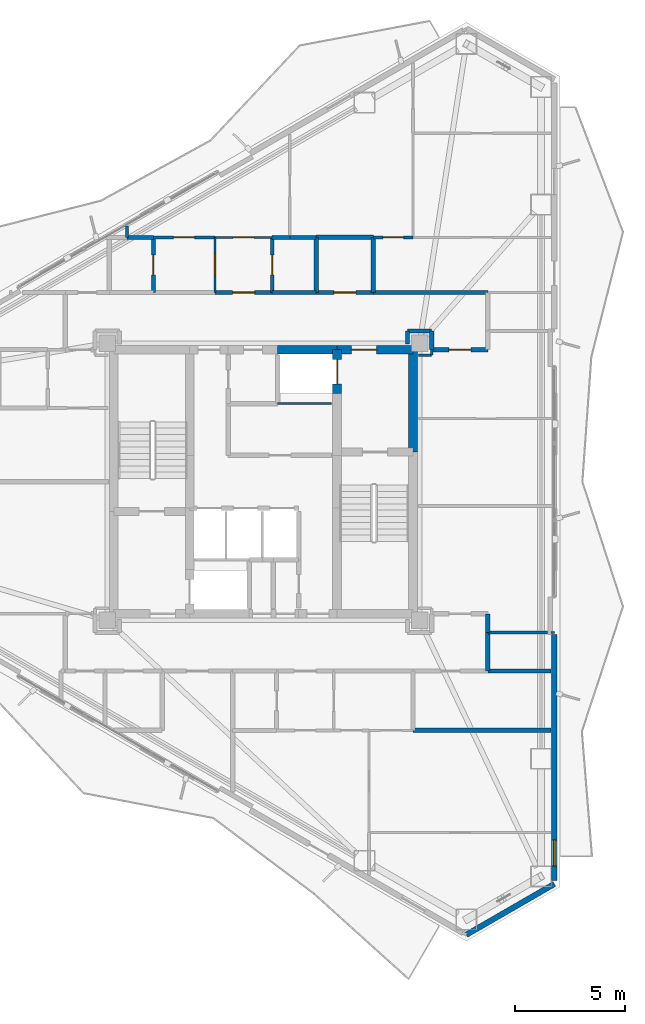
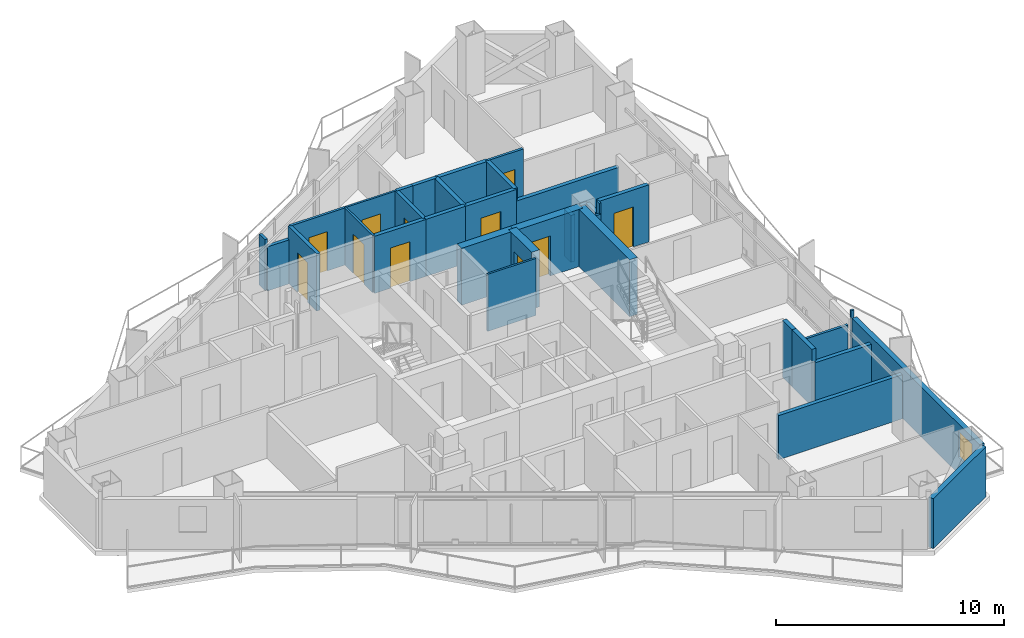
# One storey, part 15 of 19: 36 walls, 11 doors, 1 window, 12 openings.
"""IFC4 building model written with IfcOpenShell, lengths in metres."""

from ifc_helpers import new_model, si_unit, direction, frame, frame_2d, origin, place, context, subcontext, project, spatial, rectangle, extrude, material, layer, layer_set, type_object, element, fill, save


model = new_model("IFC4")

# Units and contexts
model_context = context("Model", 3, precision=1e-05, world=origin(), true_north=direction((0.0, 1.0)))
body_context = subcontext(model_context, "Body", "Model", "MODEL_VIEW")
ifc_project = project(units=[si_unit("LENGTHUNIT", "METRE"), si_unit("AREAUNIT", "SQUARE_METRE"), si_unit("VOLUMEUNIT", "CUBIC_METRE"), si_unit("PLANEANGLEUNIT", "RADIAN"), si_unit("MASSUNIT", "GRAM", prefix="KILO")], contexts=[model_context])

# Site, building, storey
site_placement = place(None, origin())
site = spatial("IfcSite", under=ifc_project, at=site_placement, CompositionType="ELEMENT")
building_placement = place(site_placement, origin())
building = spatial("IfcBuilding", under=site, at=building_placement, Name="Mersakhor Tower and Convention Hall", CompositionType="ELEMENT")
storey_placement = place(building_placement, frame((0.0, 0.0, 131.10009765625)))
storey = spatial("IfcBuildingStorey", under=building, at=storey_placement, Name="L36", CompositionType="ELEMENT", Elevation=131.10009765625)

# Wall
ifc_material_1 = material(Name="Precast concrete C40/50", Category="concrete")
ifc_layer_1 = layer(ifc_material_1, 0.25)
ifc_layer_set_1 = layer_set([ifc_layer_1], Name="Precast concrete C40/50")
wall_type_1 = type_object("IfcWallType", Name="WL-EXT-250", PredefinedType="SOLIDWALL", material=ifc_layer_set_1)
wall_1_placement = place(storey_placement, frame((42.21923828125, 8.470947265625, 0.0), z_axis=(0.0, 0.0, 1.0), x_axis=(-0.866035021055, -0.499983342029, 0.0)))
element("IfcWall", 1, at=wall_1_placement, inside=storey, type_object=wall_type_1, Name="L36 Chamfer Braced Spandrel Wall C2", PredefinedType="SOLIDWALL", context=body_context, shape_type="SweptSolid", body=[
    extrude(rectangle(XDim=4.617431640625, YDim=0.25, at=frame_2d((2.30859375, 0.0))), origin(), (0.0, 0.0, 1.0), 2.679931640625),
])

# Wall, opening, window
wall_2_placement = place(storey_placement, frame((42.21923828125, 19.806884765625, 0.0), z_axis=(0.0, 0.0, 1.0), x_axis=(0.0, -1.0, 0.0)))
wall_2 = element("IfcWall", 2, at=wall_2_placement, inside=storey, type_object=wall_type_1, Name="L36 Exterior Facade Wall F2-B3", PredefinedType="SOLIDWALL", context=body_context, shape_type="SweptSolid", body=[
    extrude(rectangle(XDim=11.185791015625, YDim=0.25, at=frame_2d((5.5927734375, 0.0))), origin(), (0.0, 0.0, 1.0), 2.679931640625),
])
opening_1_placement = place(wall_2_placement, frame((9.326904296875, 0.0, 0.89990234375)))
opening_1 = element("IfcOpeningElement", 3, at=opening_1_placement, cuts=wall_2, Name="Opening W-01", PredefinedType="OPENING", context=body_context, shape_type="SweptSolid", body=[
    extrude(rectangle(XDim=1.199951171875, YDim=1.39990234375, at=frame_2d((0.60009765625, 0.699951171875))), frame((0.0, 0.135009765625, 0.0), z_axis=(0.0, -1.0, 0.0), x_axis=(1.0, 0.0, 0.0)), (0.0, 0.0, 1.0), 0.27001953125),
])
ifc_material_2 = material(Name="Dark solar low-E glazed aluminium window", Category="aluminium")
window_type = type_object("IfcWindowType", Name="WN-RES-120x150", PartitioningType="SINGLE_PANEL", PredefinedType="WINDOW", material=ifc_material_2)
window_placement = place(opening_1_placement, origin())
window = element("IfcWindow", 4, at=window_placement, inside=storey, type_object=window_type, Name="L36 Bedroom Facade Window F2-B3-1", OverallHeight=1.39990234375, OverallWidth=1.199951171875, PartitioningType="SINGLE_PANEL", PredefinedType="WINDOW", context=body_context, shape_type="SweptSolid", body=[
    extrude(rectangle(XDim=1.199951171875, YDim=1.39990234375, at=frame_2d((0.60009765625, 0.699951171875))), frame((0.0, 0.030029296875, 0.0), z_axis=(0.0, -1.0, 0.0), x_axis=(1.0, 0.0, 0.0)), (0.0, 0.0, 1.0), 0.06005859375),
])
fill(opening_1, window)

# Wall, opening, door
ifc_material_3 = material(Name="Moisture-resistant acoustic drywall studwork", Category="other")
ifc_layer_2 = layer(ifc_material_3, 0.175048828125)
ifc_layer_set_2 = layer_set([ifc_layer_2], Name="Moisture-resistant acoustic drywall studwork")
wall_type_2 = type_object("IfcWallType", Name="WL-PLM-175", PredefinedType="PLUMBINGWALL", material=ifc_layer_set_2)
wall_3_placement = place(storey_placement, frame((29.39990234375, 37.85009765625, 0.0), z_axis=(0.0, 0.0, 1.0), x_axis=(0.0, -1.0, 0.0)))
wall_3 = element("IfcWall", 5, at=wall_3_placement, inside=storey, type_object=wall_type_2, Name="L36 Interior Partition Wall P-053", PredefinedType="PLUMBINGWALL", context=body_context, shape_type="SweptSolid", body=[
    extrude(rectangle(XDim=2.5, YDim=0.175048828125, at=frame_2d((1.25, 0.0))), origin(), (0.0, 0.0, 1.0), 3.059814453125),
])
opening_2_placement = place(wall_3_placement, frame((0.800048828125, 0.0, 0.0)))
opening_2 = element("IfcOpeningElement", 6, at=opening_2_placement, cuts=wall_3, Name="Opening WD-01", PredefinedType="OPENING", context=body_context, shape_type="SweptSolid", body=[
    extrude(rectangle(XDim=0.89990234375, YDim=2.10009765625, at=frame_2d((0.449951171875, 1.050048828125))), frame((0.0, 0.097412109375, 0.0), z_axis=(0.0, -1.0, 0.0), x_axis=(1.0, 0.0, 0.0)), (0.0, 0.0, 1.0), 0.195068359375),
])
ifc_material_4 = material(Name="Solid-core hardwood leaf in painted steel frame", Category="steel")
door_type_1 = type_object("IfcDoorType", Name="DR-INT-WET-090x210", OperationType="NOTDEFINED", PredefinedType="DOOR", material=ifc_material_4)
door_1_placement = place(opening_2_placement, origin())
door_1 = element("IfcDoor", 7, at=door_1_placement, inside=storey, type_object=door_type_1, Name="L36 L36 Flat N1 Apartment Hall to L36 Flat N1 En-Suite Shower Room Door", OperationType="SINGLE_SWING_LEFT", OverallHeight=2.10009765625, OverallWidth=0.89990234375, PredefinedType="DOOR", context=body_context, shape_type="SweptSolid", body=[
    extrude(rectangle(XDim=0.89990234375, YDim=2.10009765625, at=frame_2d((0.449951171875, 1.050048828125))), frame((0.0, 0.02490234375, 0.0), z_axis=(0.0, -1.0, 0.0), x_axis=(1.0, 0.0, 0.0)), (0.0, 0.0, 1.0), 0.050048828125),
])
fill(opening_2, door_1)

wall_4_placement = place(storey_placement, frame((24.0, 35.35009765625, 0.0), z_axis=(0.0, 0.0, 1.0), x_axis=(0.0, 1.0, 0.0)))
wall_4 = element("IfcWall", 8, at=wall_4_placement, inside=storey, type_object=wall_type_2, Name="L36 Interior Partition Wall P-064", PredefinedType="PLUMBINGWALL", context=body_context, shape_type="SweptSolid", body=[
    extrude(rectangle(XDim=2.5, YDim=0.175048828125, at=frame_2d((1.25, 0.0))), origin(), (0.0, 0.0, 1.0), 3.059814453125),
])
opening_3_placement = place(wall_4_placement, frame((0.800048828125, 0.0, 0.0)))
opening_3 = element("IfcOpeningElement", 9, at=opening_3_placement, cuts=wall_4, Name="Opening WD-01", PredefinedType="OPENING", context=body_context, shape_type="SweptSolid", body=[
    extrude(rectangle(XDim=0.89990234375, YDim=2.10009765625, at=frame_2d((0.449951171875, 1.050048828125))), frame((0.0, 0.097412109375, 0.0), z_axis=(0.0, -1.0, 0.0), x_axis=(1.0, 0.0, 0.0)), (0.0, 0.0, 1.0), 0.195068359375),
])
door_2_placement = place(opening_3_placement, origin())
door_2 = element("IfcDoor", 10, at=door_2_placement, inside=storey, type_object=door_type_1, Name="L36 L36 Flat N1 Kitchen to L36 Flat N1 Bathroom Door", OperationType="SINGLE_SWING_LEFT", OverallHeight=2.10009765625, OverallWidth=0.89990234375, PredefinedType="DOOR", context=body_context, shape_type="SweptSolid", body=[
    extrude(rectangle(XDim=0.89990234375, YDim=2.10009765625, at=frame_2d((0.449951171875, 1.050048828125))), frame((0.0, 0.02490234375, 0.0), z_axis=(0.0, -1.0, 0.0), x_axis=(1.0, 0.0, 0.0)), (0.0, 0.0, 1.0), 0.050048828125),
])
fill(opening_3, door_2)

# Walls
wall_5_placement = place(storey_placement, frame((22.800048828125, 37.85009765625, 0.0), z_axis=(0.0, 0.0, 1.0), x_axis=(1.0, 0.0, 0.0)))
element("IfcWall", 11, at=wall_5_placement, inside=storey, type_object=wall_type_2, Name="L36 Interior Partition Wall P-066", PredefinedType="PLUMBINGWALL", context=body_context, shape_type="SweptSolid", body=[
    extrude(rectangle(XDim=1.199951171875, YDim=0.175048828125, at=frame_2d((0.60009765625, 0.0))), origin(), (0.0, 0.0, 1.0), 2.364990234375),
])
wall_6_placement = place(storey_placement, frame((29.39990234375, 37.85009765625, 0.0), z_axis=(0.0, 0.0, 1.0), x_axis=(1.0, 0.0, 0.0)))
element("IfcWall", 12, at=wall_6_placement, inside=storey, type_object=wall_type_2, Name="L36 Interior Partition Wall P-068", PredefinedType="PLUMBINGWALL", context=body_context, shape_type="SweptSolid", body=[
    extrude(rectangle(XDim=0.800048828125, YDim=0.175048828125, at=frame_2d((0.39990234375, 0.0))), origin(), (0.0, 0.0, 1.0), 3.059814453125),
])
wall_7_placement = place(storey_placement, frame((30.199951171875, 37.85009765625, 0.0), z_axis=(0.0, 0.0, 1.0), x_axis=(1.0, 0.0, 0.0)))
element("IfcWall", 13, at=wall_7_placement, inside=storey, type_object=wall_type_2, Name="L36 Interior Partition Wall P-069", PredefinedType="PLUMBINGWALL", context=body_context, shape_type="SweptSolid", body=[
    extrude(rectangle(XDim=1.199951171875, YDim=0.175048828125, at=frame_2d((0.60009765625, 0.0))), origin(), (0.0, 0.0, 1.0), 3.059814453125),
])
ifc_material_5 = material(Name="Lightweight gypsum partition", Category="other")
ifc_layer_3 = layer(ifc_material_5, 0.10009765625)
ifc_layer_set_3 = layer_set([ifc_layer_3], Name="Lightweight gypsum partition")
wall_type_3 = type_object("IfcWallType", Name="WL-PRT-100", PredefinedType="PARTITIONING", material=ifc_layer_set_3)
wall_8_placement = place(storey_placement, frame((32.10009765625, 30.300048828125, 0.0), z_axis=(0.0, 0.0, 1.0), x_axis=(-1.0, 0.0, 0.0)))
element("IfcWall", 14, at=wall_8_placement, inside=storey, type_object=wall_type_3, Name="L36 Interior Partition Wall P-004", PredefinedType="PARTITIONING", context=body_context, shape_type="SweptSolid", body=[
    extrude(rectangle(XDim=2.4501953125, YDim=0.10009765625, at=frame_2d((1.22509765625, 0.0))), origin(), (0.0, 0.0, 1.0), 3.059814453125),
])

# Wall, opening, door
wall_9_placement = place(storey_placement, frame((26.800048828125, 37.85009765625, 0.0), z_axis=(0.0, 0.0, 1.0), x_axis=(1.0, 0.0, 0.0)))
wall_9 = element("IfcWall", 15, at=wall_9_placement, inside=storey, type_object=wall_type_3, Name="L36 Interior Partition Wall P-052", PredefinedType="PARTITIONING", context=body_context, shape_type="SweptSolid", body=[
    extrude(rectangle(XDim=2.599853515625, YDim=0.10009765625, at=frame_2d((1.2998046875, 0.0))), origin(), (0.0, 0.0, 1.0), 3.059814453125),
])
opening_4_placement = place(wall_9_placement, frame((0.824951171875, 0.0, 0.0)))
opening_4 = element("IfcOpeningElement", 16, at=opening_4_placement, cuts=wall_9, Name="Opening RD-01", PredefinedType="OPENING", context=body_context, shape_type="SweptSolid", body=[
    extrude(rectangle(XDim=0.949951171875, YDim=2.10009765625, at=frame_2d((0.47509765625, 1.050048828125))), frame((0.0, 0.06005859375, 0.0), z_axis=(0.0, -1.0, 0.0), x_axis=(1.0, 0.0, 0.0)), (0.0, 0.0, 1.0), 0.1201171875),
])
ifc_material_6 = material(Name="Solid-core hardwood leaf in painted steel frame", Category="steel")
door_type_2 = type_object("IfcDoorType", Name="DR-INT-RM-095x210", OperationType="NOTDEFINED", PredefinedType="DOOR", material=ifc_material_6)
door_3_placement = place(opening_4_placement, origin())
door_3 = element("IfcDoor", 17, at=door_3_placement, inside=storey, type_object=door_type_2, Name="L36 L36 Flat N1 Apartment Hall to L36 Flat N1 Living and Dining Room Door", OperationType="SINGLE_SWING_RIGHT", OverallHeight=2.10009765625, OverallWidth=0.949951171875, PredefinedType="DOOR", context=body_context, shape_type="SweptSolid", body=[
    extrude(rectangle(XDim=0.949951171875, YDim=2.10009765625, at=frame_2d((0.47509765625, 1.050048828125))), frame((0.0, 0.02490234375, 0.0), z_axis=(0.0, -1.0, 0.0), x_axis=(1.0, 0.0, 0.0)), (0.0, 0.0, 1.0), 0.050048828125),
])
fill(opening_4, door_3)

wall_10_placement = place(storey_placement, frame((26.800048828125, 35.35009765625, 0.0), z_axis=(0.0, 0.0, 1.0), x_axis=(0.0, 1.0, 0.0)))
wall_10 = element("IfcWall", 18, at=wall_10_placement, inside=storey, type_object=wall_type_3, Name="L36 Interior Partition Wall P-054", PredefinedType="PARTITIONING", context=body_context, shape_type="SweptSolid", body=[
    extrude(rectangle(XDim=2.5, YDim=0.10009765625, at=frame_2d((1.25, 0.0))), origin(), (0.0, 0.0, 1.0), 3.059814453125),
])
opening_5_placement = place(wall_10_placement, frame((0.77490234375, 0.0, 0.0)))
opening_5 = element("IfcOpeningElement", 19, at=opening_5_placement, cuts=wall_10, Name="Opening RD-01", PredefinedType="OPENING", context=body_context, shape_type="SweptSolid", body=[
    extrude(rectangle(XDim=0.949951171875, YDim=2.10009765625, at=frame_2d((0.47509765625, 1.050048828125))), frame((0.0, 0.06005859375, 0.0), z_axis=(0.0, -1.0, 0.0), x_axis=(1.0, 0.0, 0.0)), (0.0, 0.0, 1.0), 0.1201171875),
])
door_4_placement = place(opening_5_placement, origin())
door_4 = element("IfcDoor", 20, at=door_4_placement, inside=storey, type_object=door_type_2, Name="L36 L36 Flat N1 Apartment Hall to L36 Flat N1 Kitchen Door", OperationType="SINGLE_SWING_RIGHT", OverallHeight=2.10009765625, OverallWidth=0.949951171875, PredefinedType="DOOR", context=body_context, shape_type="SweptSolid", body=[
    extrude(rectangle(XDim=0.949951171875, YDim=2.10009765625, at=frame_2d((0.47509765625, 1.050048828125))), frame((0.0, 0.02490234375, 0.0), z_axis=(0.0, -1.0, 0.0), x_axis=(1.0, 0.0, 0.0)), (0.0, 0.0, 1.0), 0.050048828125),
])
fill(opening_5, door_4)

# Walls
wall_11_placement = place(storey_placement, frame((36.64990234375, 32.5, 0.0), z_axis=(0.0, 0.0, 1.0), x_axis=(0.0, 1.0, 0.0)))
element("IfcWall", 21, at=wall_11_placement, inside=storey, type_object=wall_type_3, Name="L36 Interior Partition Wall P-100", PredefinedType="PARTITIONING", context=body_context, shape_type="SweptSolid", body=[
    extrude(rectangle(XDim=0.25, YDim=0.10009765625, at=frame_2d((0.125, 0.0))), origin(), (0.0, 0.0, 1.0), 3.059814453125),
])
wall_12_placement = place(storey_placement, frame((42.218994140625, 19.89990234375, 0.0), z_axis=(0.0, 0.0, 1.0), x_axis=(-1.0, 0.0, 0.0)))
element("IfcWall", 22, at=wall_12_placement, inside=storey, type_object=wall_type_3, Name="L36 Interior Partition Wall P-106", PredefinedType="PARTITIONING", context=body_context, shape_type="SweptSolid", body=[
    extrude(rectangle(XDim=0.144775390625, YDim=0.10009765625, at=frame_2d((0.072265625, 0.0))), origin(), (0.0, 0.0, 1.0), 3.059814453125),
])

# Wall, opening, door
ifc_material_7 = material(Name="Gypsum board acoustic partition", Category="other")
ifc_layer_4 = layer(ifc_material_7, 0.125)
ifc_layer_set_4 = layer_set([ifc_layer_4], Name="Gypsum board acoustic partition")
wall_type_4 = type_object("IfcWallType", Name="WL-PRT-125", PredefinedType="PARTITIONING", material=ifc_layer_set_4)
wall_13_placement = place(storey_placement, frame((24.0, 37.85009765625, 0.0), z_axis=(0.0, 0.0, 1.0), x_axis=(1.0, 0.0, 0.0)))
wall_13 = element("IfcWall", 23, at=wall_13_placement, inside=storey, type_object=wall_type_4, Name="L36 Interior Partition Wall P-063", PredefinedType="PARTITIONING", context=body_context, shape_type="SweptSolid", body=[
    extrude(rectangle(XDim=2.800048828125, YDim=0.125, at=frame_2d((1.39990234375, 0.0))), origin(), (0.0, 0.0, 1.0), 3.059814453125),
])
opening_6_placement = place(wall_13_placement, frame((0.925048828125, 0.0, 0.0)))
opening_6 = element("IfcOpeningElement", 24, at=opening_6_placement, cuts=wall_13, Name="Opening RD-01", PredefinedType="OPENING", context=body_context, shape_type="SweptSolid", body=[
    extrude(rectangle(XDim=0.949951171875, YDim=2.10009765625, at=frame_2d((0.47509765625, 1.050048828125))), frame((0.0, 0.072509765625, 0.0), z_axis=(0.0, -1.0, 0.0), x_axis=(1.0, 0.0, 0.0)), (0.0, 0.0, 1.0), 0.14501953125),
])
door_5_placement = place(opening_6_placement, origin())
door_5 = element("IfcDoor", 25, at=door_5_placement, inside=storey, type_object=door_type_2, Name="L36 L36 Flat N1 Kitchen to L36 Flat N1 Living and Dining Room Door", OperationType="SINGLE_SWING_RIGHT", OverallHeight=2.10009765625, OverallWidth=0.949951171875, PredefinedType="DOOR", context=body_context, shape_type="SweptSolid", body=[
    extrude(rectangle(XDim=0.949951171875, YDim=2.10009765625, at=frame_2d((0.47509765625, 1.050048828125))), frame((0.0, 0.02490234375, 0.0), z_axis=(0.0, -1.0, 0.0), x_axis=(1.0, 0.0, 0.0)), (0.0, 0.0, 1.0), 0.050048828125),
])
fill(opening_6, door_5)

# Walls
wall_14_placement = place(storey_placement, frame((36.050048828125, 32.5, 0.0), z_axis=(0.0, 0.0, 1.0), x_axis=(1.0, 0.0, 0.0)))
element("IfcWall", 26, at=wall_14_placement, inside=storey, type_object=wall_type_4, Name="L36 Interior Partition Wall P-103", PredefinedType="PARTITIONING", context=body_context, shape_type="SweptSolid", body=[
    extrude(rectangle(XDim=0.599853515625, YDim=0.125, at=frame_2d((0.2998046875, 0.0))), origin(), (0.0, 0.0, 1.0), 2.50830078125),
])
wall_15_placement = place(storey_placement, frame((41.915283203125, 19.89990234375, 0.0), z_axis=(0.0, 0.0, 1.0), x_axis=(-1.0, 0.0, 0.0)))
element("IfcWall", 27, at=wall_15_placement, inside=storey, type_object=wall_type_4, Name="L36 Interior Partition Wall P-107", PredefinedType="PARTITIONING", context=body_context, shape_type="SweptSolid", body=[
    extrude(rectangle(XDim=2.71533203125, YDim=0.125, at=frame_2d((1.357666015625, 0.0))), origin(), (0.0, 0.0, 1.0), 2.364990234375),
])

# Wall, opening, door
wall_16_placement = place(storey_placement, frame((34.0, 37.85009765625, 0.0), z_axis=(0.0, 0.0, 1.0), x_axis=(1.0, 0.0, 0.0)))
wall_16 = element("IfcWall", 28, at=wall_16_placement, inside=storey, type_object=wall_type_4, Name="L36 Interior Partition Wall P-109", PredefinedType="PARTITIONING", context=body_context, shape_type="SweptSolid", body=[
    extrude(rectangle(XDim=1.800048828125, YDim=0.125, at=frame_2d((0.89990234375, 0.0))), origin(), (0.0, 0.0, 1.0), 3.059814453125),
])
opening_7_placement = place(wall_16_placement, frame((0.425048828125, 0.0, 0.0)))
opening_7 = element("IfcOpeningElement", 29, at=opening_7_placement, cuts=wall_16, Name="Opening RD-01", PredefinedType="OPENING", context=body_context, shape_type="SweptSolid", body=[
    extrude(rectangle(XDim=0.949951171875, YDim=2.10009765625, at=frame_2d((0.47509765625, 1.050048828125))), frame((0.0, 0.072509765625, 0.0), z_axis=(0.0, -1.0, 0.0), x_axis=(1.0, 0.0, 0.0)), (0.0, 0.0, 1.0), 0.14501953125),
])
door_6_placement = place(opening_7_placement, origin())
door_6 = element("IfcDoor", 30, at=door_6_placement, inside=storey, type_object=door_type_2, Name="L36 L36 Flat N1 Study Room to L36 Flat N1 Master Bedroom Door", OperationType="SINGLE_SWING_RIGHT", OverallHeight=2.10009765625, OverallWidth=0.949951171875, PredefinedType="DOOR", context=body_context, shape_type="SweptSolid", body=[
    extrude(rectangle(XDim=0.949951171875, YDim=2.10009765625, at=frame_2d((0.47509765625, 1.050048828125))), frame((0.0, 0.02490234375, 0.0), z_axis=(0.0, -1.0, 0.0), x_axis=(1.0, 0.0, 0.0)), (0.0, 0.0, 1.0), 0.050048828125),
])
fill(opening_7, door_6)

# Walls
wall_17_placement = place(storey_placement, frame((22.800048828125, 37.85009765625, 0.0), z_axis=(0.0, 0.0, 1.0), x_axis=(0.0, 1.0, 0.0)))
element("IfcWall", 31, at=wall_17_placement, inside=storey, type_object=wall_type_4, Name="L36 Interior Partition Wall P-111", PredefinedType="PARTITIONING", context=body_context, shape_type="SweptSolid", body=[
    extrude(rectangle(XDim=0.510498046875, YDim=0.125, at=frame_2d((0.25537109375, 0.0))), origin(), (0.0, 0.0, 1.0), 2.724365234375),
])
ifc_material_8 = material(Name="Acoustic concrete blockwork and gypsum board", Category="masonry")
ifc_layer_5 = layer(ifc_material_8, 0.199951171875)
ifc_layer_set_5 = layer_set([ifc_layer_5], Name="Acoustic concrete blockwork and gypsum board")
wall_type_5 = type_object("IfcWallType", Name="WL-PRT-200", PredefinedType="PARTITIONING", material=ifc_layer_set_5)
wall_18_placement = place(storey_placement, frame((35.550048828125, 33.60009765625, 0.0), z_axis=(0.0, 0.0, 1.0), x_axis=(0.0, -1.0, 0.0)))
element("IfcWall", 32, at=wall_18_placement, inside=storey, type_object=wall_type_5, Name="L36 Interior Partition Wall P-016", PredefinedType="PARTITIONING", context=body_context, shape_type="SweptSolid", body=[
    extrude(rectangle(XDim=0.60009765625, YDim=0.199951171875, at=frame_2d((0.300048828125, 0.0))), origin(), (0.0, 0.0, 1.0), 2.50830078125),
])

# Wall, opening, door
wall_19_placement = place(storey_placement, frame((26.800048828125, 35.35009765625, 0.0), z_axis=(0.0, 0.0, 1.0), x_axis=(1.0, 0.0, 0.0)))
wall_19 = element("IfcWall", 33, at=wall_19_placement, inside=storey, type_object=wall_type_5, Name="L36 Interior Partition Wall P-025", PredefinedType="PARTITIONING", context=body_context, shape_type="SweptSolid", body=[
    extrude(rectangle(XDim=2.599853515625, YDim=0.199951171875, at=frame_2d((1.2998046875, 0.0))), origin(), (0.0, 0.0, 1.0), 3.059814453125),
])
opening_8_placement = place(wall_19_placement, frame((0.800048828125, 0.0, 0.0)))
opening_8 = element("IfcOpeningElement", 34, at=opening_8_placement, cuts=wall_19, Name="Opening FD-01", PredefinedType="OPENING", context=body_context, shape_type="SweptSolid", body=[
    extrude(rectangle(XDim=1.0, YDim=2.14990234375, at=frame_2d((0.5, 1.074951171875))), frame((0.0, 0.10986328125, 0.0), z_axis=(0.0, -1.0, 0.0), x_axis=(1.0, 0.0, 0.0)), (0.0, 0.0, 1.0), 0.219970703125),
])
ifc_material_9 = material(Name="Fire-rated hardwood leaf and painted steel frame", Category="steel")
door_type_3 = type_object("IfcDoorType", Name="DR-INT-FLT-100x215", OperationType="NOTDEFINED", PredefinedType="DOOR", material=ifc_material_9)
door_7_placement = place(opening_8_placement, origin())
door_7 = element("IfcDoor", 35, at=door_7_placement, inside=storey, type_object=door_type_3, Name="L36 Apartment Entrance Door (Residential North Gallery Corridor to L36 Flat N1 Apartment Hall)", OperationType="SINGLE_SWING_LEFT", OverallHeight=2.14990234375, OverallWidth=1.0, PredefinedType="DOOR", context=body_context, shape_type="SweptSolid", body=[
    extrude(rectangle(XDim=1.0, YDim=2.14990234375, at=frame_2d((0.5, 1.074951171875))), frame((0.0, 0.02490234375, 0.0), z_axis=(0.0, -1.0, 0.0), x_axis=(1.0, 0.0, 0.0)), (0.0, 0.0, 1.0), 0.050048828125),
])
fill(opening_8, door_7)

# Wall
wall_20_placement = place(storey_placement, frame((29.39990234375, 35.35009765625, 0.0), z_axis=(0.0, 0.0, 1.0), x_axis=(1.0, 0.0, 0.0)))
element("IfcWall", 36, at=wall_20_placement, inside=storey, type_object=wall_type_5, Name="L36 Interior Partition Wall P-026", PredefinedType="PARTITIONING", context=body_context, shape_type="SweptSolid", body=[
    extrude(rectangle(XDim=2.0, YDim=0.199951171875, at=frame_2d((1.0, 0.0))), origin(), (0.0, 0.0, 1.0), 3.059814453125),
])

# Wall, opening, door
wall_21_placement = place(storey_placement, frame((31.39990234375, 35.35009765625, 0.0), z_axis=(0.0, 0.0, 1.0), x_axis=(1.0, 0.0, 0.0)))
wall_21 = element("IfcWall", 37, at=wall_21_placement, inside=storey, type_object=wall_type_5, Name="L36 Interior Partition Wall P-027", PredefinedType="PARTITIONING", context=body_context, shape_type="SweptSolid", body=[
    extrude(rectangle(XDim=2.60009765625, YDim=0.199951171875, at=frame_2d((1.300048828125, 0.0))), origin(), (0.0, 0.0, 1.0), 3.059814453125),
])
opening_9_placement = place(wall_21_placement, frame((0.800048828125, 0.0, 0.0)))
opening_9 = element("IfcOpeningElement", 38, at=opening_9_placement, cuts=wall_21, Name="Opening FD-01", PredefinedType="OPENING", context=body_context, shape_type="SweptSolid", body=[
    extrude(rectangle(XDim=1.0, YDim=2.14990234375, at=frame_2d((0.5, 1.074951171875))), frame((0.0, 0.10986328125, 0.0), z_axis=(0.0, -1.0, 0.0), x_axis=(1.0, 0.0, 0.0)), (0.0, 0.0, 1.0), 0.219970703125),
])
door_8_placement = place(opening_9_placement, origin())
door_8 = element("IfcDoor", 39, at=door_8_placement, inside=storey, type_object=door_type_3, Name="L36 Residential North Gallery Corridor to L36 North Wing Shared Laundry Room Door", OperationType="SINGLE_SWING_RIGHT", OverallHeight=2.14990234375, OverallWidth=1.0, PredefinedType="DOOR", context=body_context, shape_type="SweptSolid", body=[
    extrude(rectangle(XDim=1.0, YDim=2.14990234375, at=frame_2d((0.5, 1.074951171875))), frame((0.0, 0.02490234375, 0.0), z_axis=(0.0, -1.0, 0.0), x_axis=(1.0, 0.0, 0.0)), (0.0, 0.0, 1.0), 0.050048828125),
])
fill(opening_9, door_8)

# Wall
wall_22_placement = place(storey_placement, frame((34.0, 35.35009765625, 0.0), z_axis=(0.0, 0.0, 1.0), x_axis=(1.0, 0.0, 0.0)))
element("IfcWall", 40, at=wall_22_placement, inside=storey, type_object=wall_type_5, Name="L36 Interior Partition Wall P-028", PredefinedType="PARTITIONING", context=body_context, shape_type="SweptSolid", body=[
    extrude(rectangle(XDim=5.199951171875, YDim=0.199951171875, at=frame_2d((2.60009765625, 0.0))), origin(), (0.0, 0.0, 1.0), 2.4326171875),
])

# Wall, opening, door
wall_23_placement = place(storey_placement, frame((39.199951171875, 32.75, 0.0), z_axis=(0.0, 0.0, 1.0), x_axis=(-1.0, 0.0, 0.0)))
wall_23 = element("IfcWall", 41, at=wall_23_placement, inside=storey, type_object=wall_type_5, Name="L36 Interior Partition Wall P-031", PredefinedType="PARTITIONING", context=body_context, shape_type="SweptSolid", body=[
    extrude(rectangle(XDim=2.550048828125, YDim=0.199951171875, at=frame_2d((1.27490234375, 0.0))), origin(), (0.0, 0.0, 1.0), 3.059814453125),
])
opening_10_placement = place(wall_23_placement, frame((0.77490234375, 0.0, 0.0)))
opening_10 = element("IfcOpeningElement", 42, at=opening_10_placement, cuts=wall_23, Name="Opening FD-01", PredefinedType="OPENING", context=body_context, shape_type="SweptSolid", body=[
    extrude(rectangle(XDim=1.0, YDim=2.14990234375, at=frame_2d((0.5, 1.074951171875))), frame((0.0, 0.10986328125, 0.0), z_axis=(0.0, -1.0, 0.0), x_axis=(1.0, 0.0, 0.0)), (0.0, 0.0, 1.0), 0.219970703125),
])
door_9_placement = place(opening_10_placement, origin())
door_9 = element("IfcDoor", 43, at=door_9_placement, inside=storey, type_object=door_type_3, Name="L36 Residential North Gallery Corridor to L36 East Wing Sky Study Room Annex Door", OperationType="SINGLE_SWING_RIGHT", OverallHeight=2.14990234375, OverallWidth=1.0, PredefinedType="DOOR", context=body_context, shape_type="SweptSolid", body=[
    extrude(rectangle(XDim=1.0, YDim=2.14990234375, at=frame_2d((0.5, 1.074951171875))), frame((0.0, 0.02490234375, 0.0), z_axis=(0.0, -1.0, 0.0), x_axis=(1.0, 0.0, 0.0)), (0.0, 0.0, 1.0), 0.050048828125),
])
fill(opening_10, door_9)

# Walls
wall_24_placement = place(storey_placement, frame((36.64990234375, 32.75, 0.0), z_axis=(0.0, 0.0, 1.0), x_axis=(0.0, 1.0, 0.0)))
element("IfcWall", 44, at=wall_24_placement, inside=storey, type_object=wall_type_5, Name="L36 Interior Partition Wall P-032", PredefinedType="PARTITIONING", context=body_context, shape_type="SweptSolid", body=[
    extrude(rectangle(XDim=0.85009765625, YDim=0.199951171875, at=frame_2d((0.425048828125, 0.0))), origin(), (0.0, 0.0, 1.0), 2.4326171875),
])
wall_25_placement = place(storey_placement, frame((36.64990234375, 33.60009765625, 0.0), z_axis=(0.0, 0.0, 1.0), x_axis=(-1.0, 0.0, 0.0)))
element("IfcWall", 45, at=wall_25_placement, inside=storey, type_object=wall_type_5, Name="L36 Interior Partition Wall P-033", PredefinedType="PARTITIONING", context=body_context, shape_type="SweptSolid", body=[
    extrude(rectangle(XDim=1.099853515625, YDim=0.199951171875, at=frame_2d((0.5498046875, 0.0))), origin(), (0.0, 0.0, 1.0), 2.4326171875),
])
wall_26_placement = place(storey_placement, frame((39.199951171875, 20.75, 0.0), z_axis=(0.0, 0.0, 1.0), x_axis=(0.0, -1.0, 0.0)))
element("IfcWall", 46, at=wall_26_placement, inside=storey, type_object=wall_type_5, Name="L36 Interior Partition Wall P-039", PredefinedType="PARTITIONING", context=body_context, shape_type="SweptSolid", body=[
    extrude(rectangle(XDim=0.85009765625, YDim=0.199951171875, at=frame_2d((0.425048828125, 0.0))), origin(), (0.0, 0.0, 1.0), 3.059814453125),
])
wall_27_placement = place(storey_placement, frame((39.199951171875, 19.89990234375, 0.0), z_axis=(0.0, 0.0, 1.0), x_axis=(0.0, -1.0, 0.0)))
element("IfcWall", 47, at=wall_27_placement, inside=storey, type_object=wall_type_5, Name="L36 Interior Partition Wall P-040", PredefinedType="PARTITIONING", context=body_context, shape_type="SweptSolid", body=[
    extrude(rectangle(XDim=1.75, YDim=0.199951171875, at=frame_2d((0.875, 0.0))), origin(), (0.0, 0.0, 1.0), 3.059814453125),
])
wall_28_placement = place(storey_placement, frame((31.39990234375, 37.85009765625, 0.0), z_axis=(0.0, 0.0, 1.0), x_axis=(0.0, -1.0, 0.0)))
element("IfcWall", 48, at=wall_28_placement, inside=storey, type_object=wall_type_5, Name="L36 Interior Partition Wall P-070", PredefinedType="PARTITIONING", context=body_context, shape_type="SweptSolid", body=[
    extrude(rectangle(XDim=2.5, YDim=0.199951171875, at=frame_2d((1.25, 0.0))), origin(), (0.0, 0.0, 1.0), 3.059814453125),
])
wall_29_placement = place(storey_placement, frame((31.39990234375, 37.85009765625, 0.0), z_axis=(0.0, 0.0, 1.0), x_axis=(1.0, 0.0, 0.0)))
element("IfcWall", 49, at=wall_29_placement, inside=storey, type_object=wall_type_5, Name="L36 Interior Partition Wall P-087", PredefinedType="PARTITIONING", context=body_context, shape_type="SweptSolid", body=[
    extrude(rectangle(XDim=2.60009765625, YDim=0.199951171875, at=frame_2d((1.300048828125, 0.0))), origin(), (0.0, 0.0, 1.0), 3.059814453125),
])
wall_30_placement = place(storey_placement, frame((34.0, 37.85009765625, 0.0), z_axis=(0.0, 0.0, 1.0), x_axis=(0.0, -1.0, 0.0)))
element("IfcWall", 50, at=wall_30_placement, inside=storey, type_object=wall_type_5, Name="L36 Interior Partition Wall P-088", PredefinedType="PARTITIONING", context=body_context, shape_type="SweptSolid", body=[
    extrude(rectangle(XDim=2.5, YDim=0.199951171875, at=frame_2d((1.25, 0.0))), origin(), (0.0, 0.0, 1.0), 3.059814453125),
])
wall_31_placement = place(storey_placement, frame((39.199951171875, 18.14990234375, 0.0), z_axis=(0.0, 0.0, 1.0), x_axis=(1.0, 0.0, 0.0)))
element("IfcWall", 51, at=wall_31_placement, inside=storey, type_object=wall_type_5, Name="L36 Interior Partition Wall P-091", PredefinedType="PARTITIONING", context=body_context, shape_type="SweptSolid", body=[
    extrude(rectangle(XDim=2.870361328125, YDim=0.199951171875, at=frame_2d((1.43505859375, 0.0))), origin(), (0.0, 0.0, 1.0), 2.364990234375),
])
wall_32_placement = place(storey_placement, frame((42.0703125, 15.449951171875, 0.0), z_axis=(0.0, 0.0, 1.0), x_axis=(-1.0, 0.0, 0.0)))
element("IfcWall", 52, at=wall_32_placement, inside=storey, type_object=wall_type_5, Name="L36 Interior Partition Wall P-092", PredefinedType="PARTITIONING", context=body_context, shape_type="SweptSolid", body=[
    extrude(rectangle(XDim=6.270263671875, YDim=0.199951171875, at=frame_2d((3.13525390625, 0.0))), origin(), (0.0, 0.0, 1.0), 2.364990234375),
])
ifc_material_10 = material(Name="Concrete C60/75", Category="concrete")
ifc_layer_6 = layer(ifc_material_10, 0.39990234375)
ifc_layer_set_6 = layer_set([ifc_layer_6], Name="Concrete C60/75")
wall_type_6 = type_object("IfcWallType", Name="WL-SHR-400", PredefinedType="SHEAR", material=ifc_layer_set_6)
wall_33_placement = place(storey_placement, frame((29.64990234375, 32.75, 0.0), z_axis=(0.0, 0.0, 1.0), x_axis=(1.0, 0.0, 0.0)))
element("IfcWall", 53, at=wall_33_placement, inside=storey, type_object=wall_type_6, Name="L36 Core Wall CW-N3", PredefinedType="SHEAR", context=body_context, shape_type="SweptSolid", body=[
    extrude(rectangle(XDim=2.7001953125, YDim=0.39990234375, at=frame_2d((1.35009765625, 0.0))), origin(), (0.0, 0.0, 1.0), 3.059814453125),
])

# Wall, opening, door
wall_34_placement = place(storey_placement, frame((32.35009765625, 32.75, 0.0), z_axis=(0.0, 0.0, 1.0), x_axis=(1.0, 0.0, 0.0)))
wall_34 = element("IfcWall", 54, at=wall_34_placement, inside=storey, type_object=wall_type_6, Name="L36 Core Wall CW-N4", PredefinedType="SHEAR", context=body_context, shape_type="SweptSolid", body=[
    extrude(rectangle(XDim=3.449951171875, YDim=0.39990234375, at=frame_2d((1.72509765625, 0.0))), origin(), (0.0, 0.0, 1.0), 3.059814453125),
])
opening_11_placement = place(wall_34_placement, frame((0.64990234375, 0.0, 0.0)))
opening_11 = element("IfcOpeningElement", 55, at=opening_11_placement, cuts=wall_34, Name="Opening SD-01", PredefinedType="OPENING", context=body_context, shape_type="SweptSolid", body=[
    extrude(rectangle(XDim=1.14990234375, YDim=2.14990234375, at=frame_2d((0.574951171875, 1.074951171875))), frame((0.0, 0.2099609375, 0.0), z_axis=(0.0, -1.0, 0.0), x_axis=(1.0, 0.0, 0.0)), (0.0, 0.0, 1.0), 0.419921875),
])
ifc_material_11 = material(Name="Fire-rated hardwood leaf and painted steel frame", Category="steel")
door_type_4 = type_object("IfcDoorType", Name="DR-INT-STAIR-115x215", OperationType="NOTDEFINED", PredefinedType="DOOR", material=ifc_material_11)
door_10_placement = place(opening_11_placement, origin())
door_10 = element("IfcDoor", 56, at=door_10_placement, inside=storey, type_object=door_type_4, Name="L36 Firefighting Lobby East Fire Door", OperationType="SINGLE_SWING_RIGHT", OverallHeight=2.14990234375, OverallWidth=1.14990234375, PredefinedType="DOOR", context=body_context, shape_type="SweptSolid", body=[
    extrude(rectangle(XDim=1.14990234375, YDim=2.14990234375, at=frame_2d((0.574951171875, 1.074951171875))), frame((0.0, 0.02490234375, 0.0), z_axis=(0.0, -1.0, 0.0), x_axis=(1.0, 0.0, 0.0)), (0.0, 0.0, 1.0), 0.050048828125),
])
fill(opening_11, door_10)

# Wall
wall_35_placement = place(storey_placement, frame((35.800048828125, 32.75, 0.0), z_axis=(0.0, 0.0, 1.0), x_axis=(0.0, -1.0, 0.0)))
element("IfcWall", 57, at=wall_35_placement, inside=storey, type_object=wall_type_6, Name="L36 Core Wall CW-E1", PredefinedType="SHEAR", context=body_context, shape_type="SweptSolid", body=[
    extrude(rectangle(XDim=4.64990234375, YDim=0.39990234375, at=frame_2d((2.324951171875, 0.0))), origin(), (0.0, 0.0, 1.0), 3.059814453125),
])

# Wall, opening, door
wall_36_placement = place(storey_placement, frame((32.35009765625, 30.75, 0.0), z_axis=(0.0, 0.0, 1.0), x_axis=(0.0, 1.0, 0.0)))
wall_36 = element("IfcWall", 58, at=wall_36_placement, inside=storey, type_object=wall_type_6, Name="L36 Core Wall CS-E-FFL", PredefinedType="SHEAR", context=body_context, shape_type="SweptSolid", body=[
    extrude(rectangle(XDim=2.0, YDim=0.39990234375, at=frame_2d((1.0, 0.0))), origin(), (0.0, 0.0, 1.0), 3.059814453125),
])
opening_12_placement = place(wall_36_placement, frame((0.449951171875, 0.0, 0.0)))
opening_12 = element("IfcOpeningElement", 59, at=opening_12_placement, cuts=wall_36, Name="Opening LD-FFL2", PredefinedType="OPENING", context=body_context, shape_type="SweptSolid", body=[
    extrude(rectangle(XDim=1.10009765625, YDim=2.14990234375, at=frame_2d((0.550048828125, 1.074951171875))), frame((0.0, 0.2099609375, 0.0), z_axis=(0.0, -1.0, 0.0), x_axis=(1.0, 0.0, 0.0)), (0.0, 0.0, 1.0), 0.419921875),
])
ifc_material_12 = material(Name="Fire-rated brushed stainless steel sliding landing door", Category="steel")
door_type_5 = type_object("IfcDoorType", Name="DR-LIFT-SLD-110x215", OperationType="NOTDEFINED", PredefinedType="DOOR", material=ifc_material_12)
door_11_placement = place(opening_12_placement, origin())
door_11 = element("IfcDoor", 60, at=door_11_placement, inside=storey, type_object=door_type_5, Name="L36 Firefighting Lift Landing Door LD-FFL2", OperationType="SLIDING_TO_LEFT", OverallHeight=2.14990234375, OverallWidth=1.10009765625, PredefinedType="DOOR", context=body_context, shape_type="SweptSolid", body=[
    extrude(rectangle(XDim=1.10009765625, YDim=2.14990234375, at=frame_2d((0.550048828125, 1.074951171875))), frame((0.0, 0.02490234375, 0.0), z_axis=(0.0, -1.0, 0.0), x_axis=(1.0, 0.0, 0.0)), (0.0, 0.0, 1.0), 0.050048828125),
])
fill(opening_12, door_11)

save(model, "model.ifc")
